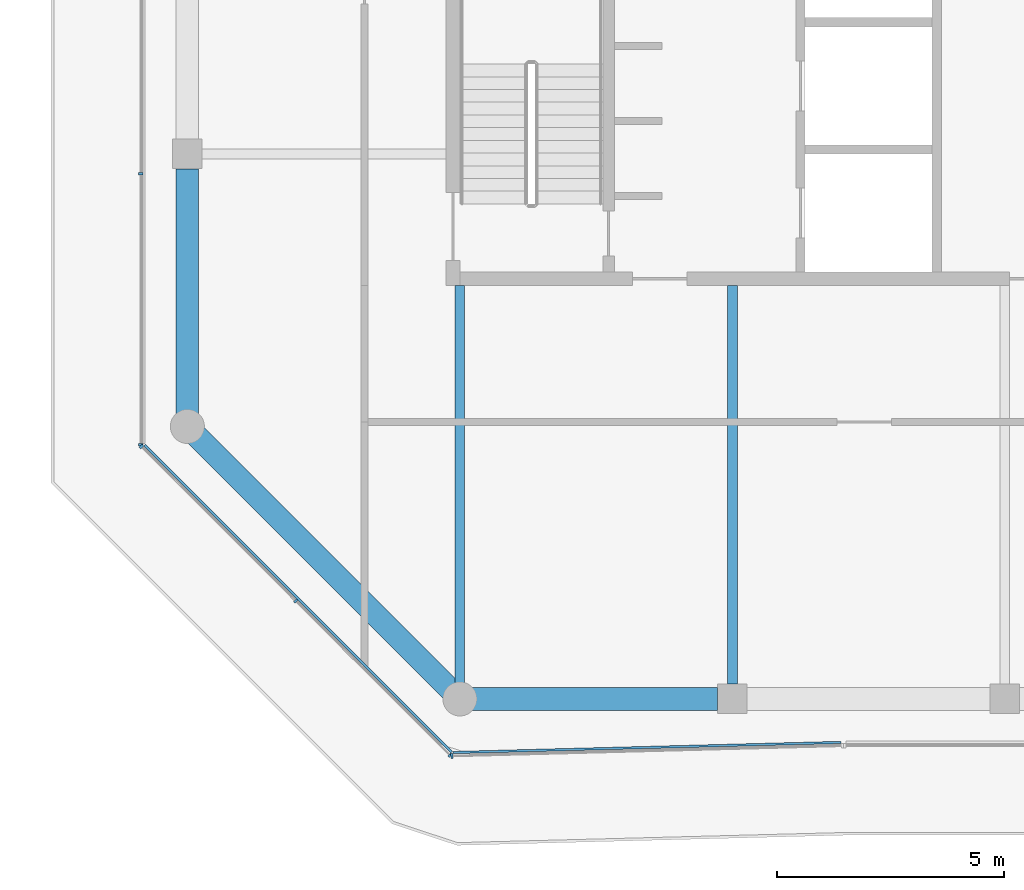
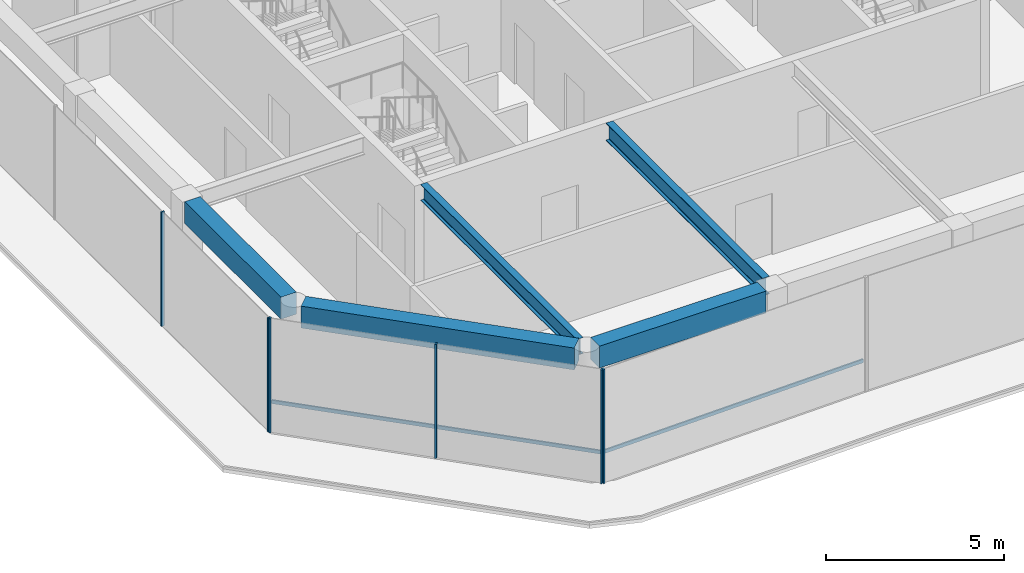
# One storey, part 2 of 20: 8 members, 5 beams, 3 elements without a shape of their own.
"""IFC4 building model written with IfcOpenShell, lengths in metres."""

from ifc_helpers import new_model, si_unit, direction, frame, origin, origin_2d, place, context, subcontext, project, spatial, rectangle, i_section, extrude, material, layer, layer_set, material_profile, profile_set, type_object, element, aggregate, save


model = new_model("IFC4")

# Units and contexts
model_context = context("Model", 3, precision=1e-05, world=origin(), true_north=direction((0.0, 1.0)))
body_context = subcontext(model_context, "Body", "Model", "MODEL_VIEW")
ifc_project = project(units=[si_unit("LENGTHUNIT", "METRE"), si_unit("AREAUNIT", "SQUARE_METRE"), si_unit("VOLUMEUNIT", "CUBIC_METRE"), si_unit("PLANEANGLEUNIT", "RADIAN"), si_unit("MASSUNIT", "GRAM", prefix="KILO")], contexts=[model_context])

# Site, building, storey
site_placement = place(None, origin())
site = spatial("IfcSite", under=ifc_project, at=site_placement, CompositionType="ELEMENT")
building_placement = place(site_placement, origin())
building = spatial("IfcBuilding", under=site, at=building_placement, Name="Welwitschia Terrace Campus", CompositionType="ELEMENT")
storey_placement = place(building_placement, frame((0.0, 0.0, 327.199951171875)))
storey = spatial("IfcBuildingStorey", under=building, at=storey_placement, Name="L73", CompositionType="ELEMENT", Elevation=327.199951171875)

# Beam
ifc_material_1 = material(Name="Steel S355", Category="steel")
ifc_material_profile_1 = material_profile(ifc_material_1, i_section(OverallWidth=0.2099609375, OverallDepth=0.550048828125, WebThickness=0.010986328125, FlangeThickness=0.01708984375, FilletRadius=0.02392578125, at=origin_2d()))
ifc_profile_set_1 = profile_set([ifc_material_profile_1], Name="Steel S355")
beam_type_1 = type_object("IfcBeamType", Name="Interior girder IPE 550", PredefinedType="BEAM", material=ifc_profile_set_1)
beam_1_placement = place(storey_placement, frame((6.0, -3.6494140625, 3.625), z_axis=(0.0, 1.0, 0.0), x_axis=(-1.0, 0.0, 0.0)))
element("IfcBeam", 1, at=beam_1_placement, inside=storey, type_object=beam_type_1, Name="Girder GB7", PredefinedType="BEAM", context=body_context, shape_type="SweptSolid", body=[
    extrude(i_section(OverallWidth=0.2099609375, OverallDepth=0.550048828125, WebThickness=0.010986328125, FlangeThickness=0.01708984375, FilletRadius=0.02392578125, at=origin_2d()), origin(), (0.0, 0.0, 1.0), 8.74853515625),
])

# Curtain wall, members
ifc_material_2 = material(Name="Bronze anodised aluminium", Category="aluminium")
ifc_layer = layer(ifc_material_2, 0.10009765625)
ifc_layer_set = layer_set([ifc_layer], Name="Bronze anodised aluminium")
curtain_wall_type = type_object("IfcCurtainWallType", Name="Curtain wall CW5 crown 6000", PredefinedType="NOTDEFINED", material=ifc_layer_set)
curtain_wall_1_placement = place(storey_placement, origin())
curtain_wall_1 = element("IfcCurtainWall", 2, at=curtain_wall_1_placement, inside=storey, type_object=curtain_wall_type, Name="CW L73.0.0", PredefinedType="NOTDEFINED")
ifc_material_3 = material(Name="Bronze anodised aluminium", Category="aluminium")
ifc_material_profile_2 = material_profile(ifc_material_3, rectangle(XDim=0.10009765625, YDim=0.050048828125, at=origin_2d()))
ifc_profile_set_2 = profile_set([ifc_material_profile_2], Name="Bronze anodised aluminium")
member_type_1 = type_object("IfcMemberType", Name="Mullion 50x100", PredefinedType="MULLION", material=ifc_profile_set_2)
member_1_placement = place(storey_placement, frame((-1.030029296875, 7.5654296875, 0.0), z_axis=(0.0, 0.0, 1.0), x_axis=(1.0, 0.0, 0.0)))
member_1 = element("IfcMember", 3, at=member_1_placement, type_object=member_type_1, Name="Mullion L73.0.0.2", PredefinedType="MULLION", context=body_context, shape_type="SweptSolid", body=[
    extrude(rectangle(XDim=0.10009765625, YDim=0.050048828125, at=origin_2d()), origin(), (0.0, 0.0, 1.0), 3.900146484375),
])
member_2_placement = place(storey_placement, frame((-1.030029296875, 1.598388671875, 0.0), z_axis=(0.0, 0.0, 1.0), x_axis=(1.0, 0.0, 0.0)))
member_2 = element("IfcMember", 4, at=member_2_placement, type_object=member_type_1, Name="Mullion L73.0.0.3", PredefinedType="MULLION", context=body_context, shape_type="SweptSolid", body=[
    extrude(rectangle(XDim=0.10009765625, YDim=0.050048828125, at=origin_2d()), origin(), (0.0, 0.0, 1.0), 3.900146484375),
])
aggregate(curtain_wall_1, [member_1, member_2])

curtain_wall_2_placement = place(storey_placement, origin())
curtain_wall_2 = element("IfcCurtainWall", 5, at=curtain_wall_2_placement, inside=storey, type_object=curtain_wall_type, Name="CW L73.1.0", PredefinedType="NOTDEFINED")
member_3_placement = place(storey_placement, frame((-1.01220703125, 1.5556640625, 0.0), z_axis=(0.0, 0.0, 1.0), x_axis=(0.707106781187, 0.707106781187, 0.0)))
member_3 = element("IfcMember", 6, at=member_3_placement, type_object=member_type_1, Name="Mullion L73.1.0.0", PredefinedType="MULLION", context=body_context, shape_type="SweptSolid", body=[
    extrude(rectangle(XDim=0.10009765625, YDim=0.050048828125, at=origin_2d()), origin(), (0.0, 0.0, 1.0), 3.900146484375),
])
member_4_placement = place(storey_placement, frame((2.385009765625, -1.841552734375, 0.0), z_axis=(0.0, 0.0, 1.0), x_axis=(0.707106781187, 0.707106781187, 0.0)))
member_4 = element("IfcMember", 7, at=member_4_placement, type_object=member_type_1, Name="Mullion L73.1.0.1", PredefinedType="MULLION", context=body_context, shape_type="SweptSolid", body=[
    extrude(rectangle(XDim=0.10009765625, YDim=0.050048828125, at=origin_2d()), origin(), (0.0, 0.0, 1.0), 3.900146484375),
])
member_5_placement = place(storey_placement, frame((5.7822265625, -5.23876953125, 0.0), z_axis=(0.0, 0.0, 1.0), x_axis=(0.707106781187, 0.707106781187, 0.0)))
member_5 = element("IfcMember", 8, at=member_5_placement, type_object=member_type_1, Name="Mullion L73.1.0.2", PredefinedType="MULLION", context=body_context, shape_type="SweptSolid", body=[
    extrude(rectangle(XDim=0.10009765625, YDim=0.050048828125, at=origin_2d()), origin(), (0.0, 0.0, 1.0), 3.900146484375),
])

# Curtain wall, member
curtain_wall_3_placement = place(storey_placement, origin())
curtain_wall_3 = element("IfcCurtainWall", 9, at=curtain_wall_3_placement, inside=storey, type_object=curtain_wall_type, Name="CW L73.2.0", PredefinedType="NOTDEFINED")
member_6_placement = place(storey_placement, frame((5.82470703125, -5.255859375, 0.0), z_axis=(0.0, 0.0, 1.0), x_axis=(-0.026176948308, 0.999657324976, 0.0)))
member_6 = element("IfcMember", 10, at=member_6_placement, type_object=member_type_1, Name="Mullion L73.2.0.0", PredefinedType="MULLION", context=body_context, shape_type="SweptSolid", body=[
    extrude(rectangle(XDim=0.10009765625, YDim=0.050048828125, at=origin_2d()), origin(), (0.0, 0.0, 1.0), 3.900146484375),
])

# Beams
ifc_material_4 = material(Name="Steel S355", Category="steel")
ifc_material_profile_3 = material_profile(ifc_material_4, i_section(OverallWidth=0.219970703125, OverallDepth=0.60009765625, WebThickness=0.011962890625, FlangeThickness=0.01904296875, FilletRadius=0.02392578125, at=origin_2d()))
ifc_profile_set_3 = profile_set([ifc_material_profile_3], Name="Steel S355")
beam_type_2 = type_object("IfcBeamType", Name="Primary beam IPE 600", PredefinedType="BEAM", material=ifc_profile_set_3)
beam_2_placement = place(storey_placement, frame((12.0, -3.674560546875, 3.60009765625), z_axis=(0.0, 1.0, 0.0), x_axis=(-1.0, 0.0, 0.0)))
element("IfcBeam", 11, at=beam_2_placement, inside=storey, type_object=beam_type_2, Name="Primary beam PB7", PredefinedType="BEAM", context=body_context, shape_type="SweptSolid", body=[
    extrude(i_section(OverallWidth=0.219970703125, OverallDepth=0.60009765625, WebThickness=0.011962890625, FlangeThickness=0.01904296875, FilletRadius=0.02392578125, at=origin_2d()), origin(), (0.0, 0.0, 1.0), 8.774658203125),
])
ifc_material_5 = material(Name="Concrete C40/50", Category="concrete")
ifc_material_profile_4 = material_profile(ifc_material_5, rectangle(XDim=0.5, YDim=0.75, at=origin_2d()))
ifc_profile_set_4 = profile_set([ifc_material_profile_4], Name="Concrete C40/50")
beam_type_3 = type_object("IfcBeamType", Name="Ring spandrel 500x750", PredefinedType="SPANDREL", material=ifc_profile_set_4)
beam_3_placement = place(storey_placement, frame((0.1982421875, 1.8017578125, 3.525146484375), z_axis=(0.707106781187, -0.707106781187, 0.0), x_axis=(0.707106781187, 0.707106781187, 0.0)))
element("IfcBeam", 12, at=beam_3_placement, inside=storey, type_object=beam_type_3, Name="Spandrel SP5", PredefinedType="SPANDREL", context=body_context, shape_type="SweptSolid", body=[
    extrude(rectangle(XDim=0.5, YDim=0.75, at=origin_2d()), origin(), (0.0, 0.0, 1.0), 7.924560546875),
])
for number, where, z_axis, x_axis, name in (
    (13, (6.280517578125, -4.0, 3.525146484375), (1.0, 0.0, 0.0), (0.0, 1.0, 0.0), "Spandrel SP5"),
    (14, (0.0, 7.674560546875, 3.525146484375), (0.0, -1.0, 0.0), (1.0, 0.0, 0.0), "Spandrel SP5"),
):
    element("IfcBeam", number, at=place(storey_placement, frame(where, z_axis=z_axis, x_axis=x_axis)), inside=storey, type_object=beam_type_3, Name=name, PredefinedType="SPANDREL", context=body_context, shape_type="SweptSolid", body=[
        extrude(rectangle(XDim=0.5, YDim=0.75, at=origin_2d()), origin(), (0.0, 0.0, 1.0), 5.39404296875),
    ])

# Member
ifc_material_6 = material(Name="Bronze anodised aluminium", Category="aluminium")
ifc_material_profile_5 = material_profile(ifc_material_6, rectangle(XDim=0.050048828125, YDim=0.1201171875, at=origin_2d()))
ifc_profile_set_5 = profile_set([ifc_material_profile_5], Name="Bronze anodised aluminium")
member_type_2 = type_object("IfcMemberType", Name="Transom 50x120", PredefinedType="USERDEFINED", material=ifc_profile_set_5)
member_7_placement = place(storey_placement, frame((-0.941650390625, 1.591064453125, 1.0), z_axis=(0.707106781187, -0.707106781187, 0.0), x_axis=(0.707106781187, 0.707106781187, 0.0)))
member_7 = element("IfcMember", 15, at=member_7_placement, type_object=member_type_2, Name="Transom L73.1.0", ObjectType="TRANSOM", PredefinedType="USERDEFINED", context=body_context, shape_type="SweptSolid", body=[
    extrude(rectangle(XDim=0.050048828125, YDim=0.1201171875, at=origin_2d()), origin(), (0.0, 0.0, 1.0), 9.558837890625),
])

aggregate(curtain_wall_2, [member_3, member_4, member_5, member_7])

member_8_placement = place(storey_placement, frame((5.847900390625, -5.18017578125, 1.0), z_axis=(0.999657172014, 0.02618278903, 0.0), x_axis=(-0.02618278903, 0.999657172014, 0.0)))
member_8 = element("IfcMember", 16, at=member_8_placement, type_object=member_type_2, Name="Transom L73.2.0", ObjectType="TRANSOM", PredefinedType="USERDEFINED", context=body_context, shape_type="SweptSolid", body=[
    extrude(rectangle(XDim=0.050048828125, YDim=0.1201171875, at=origin_2d()), origin(), (0.0, 0.0, 1.0), 8.550537109375),
])

aggregate(curtain_wall_3, [member_6, member_8])

save(model, "model.ifc")
